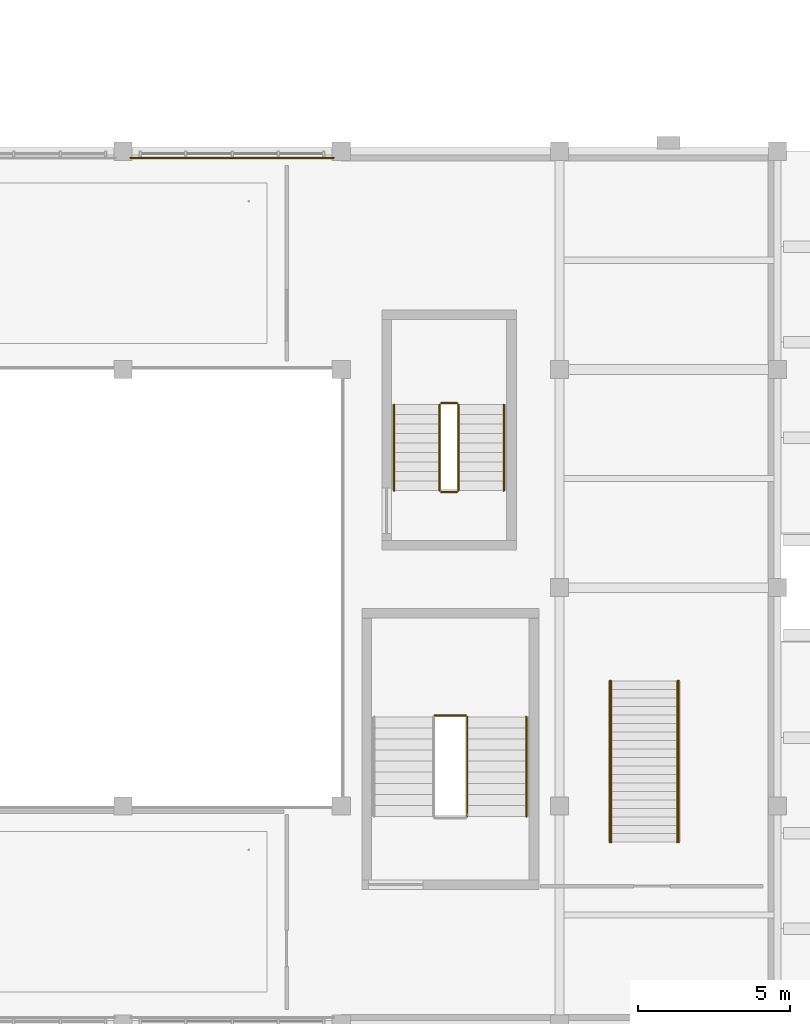
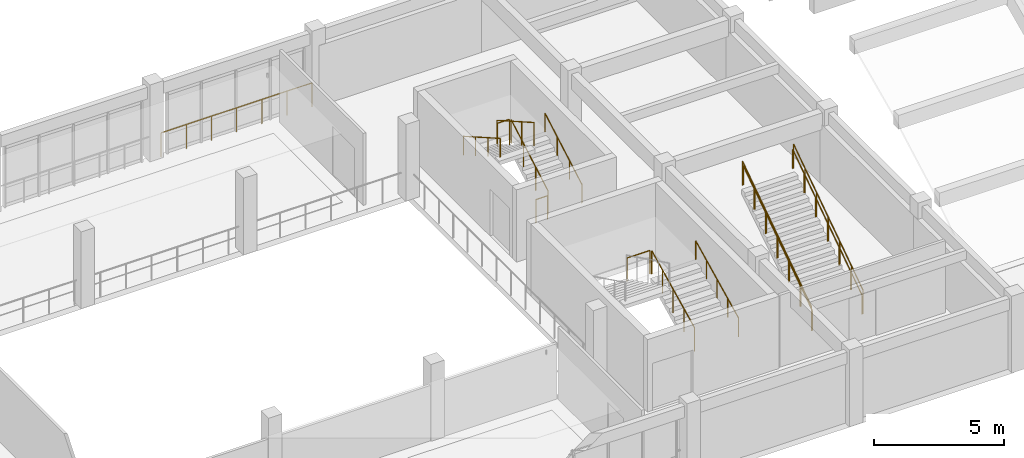
# One storey, part 73 of 85: 14 railings.
"""IFC4 building model written with IfcOpenShell, lengths in metres."""

from ifc_helpers import new_model, si_unit, direction, frame, origin, origin_2d, place, context, subcontext, project, spatial, circle, extrude, material, type_object, element, save


model = new_model("IFC4")

# Units and contexts
model_context = context("Model", 3, precision=1e-05, world=origin(), true_north=direction((0.0, 1.0)))
body_context = subcontext(model_context, "Body", "Model", "MODEL_VIEW")
ifc_project = project(units=[si_unit("LENGTHUNIT", "METRE"), si_unit("AREAUNIT", "SQUARE_METRE"), si_unit("VOLUMEUNIT", "CUBIC_METRE"), si_unit("PLANEANGLEUNIT", "RADIAN"), si_unit("MASSUNIT", "GRAM", prefix="KILO")], contexts=[model_context])

# Site, building, storey
site_placement = place(None, origin())
site = spatial("IfcSite", under=ifc_project, at=site_placement, CompositionType="ELEMENT")
building_placement = place(site_placement, origin())
building = spatial("IfcBuilding", under=site, at=building_placement, Name="Alvorim Cloister Faculty of Sciences", CompositionType="ELEMENT")
storey_placement = place(building_placement, frame((0.0, 0.0, 8.550048828125)))
storey = spatial("IfcBuildingStorey", under=building, at=storey_placement, Name="L02", CompositionType="ELEMENT", Elevation=8.550048828125)

# Railings
ifc_material_1 = material(Name="Laminated Safety Glass and Bronze", Category="glass")
railing_type_1 = type_object("IfcRailingType", Name="RL-ATR-BAL-1150", PredefinedType="BALUSTRADE", material=ifc_material_1)
railing_1_placement = place(storey_placement, frame((93.85009765625, 28.580078125, 0.0)))
element("IfcRailing", 1, at=railing_1_placement, inside=storey, type_object=railing_type_1, Name="L02 Curtain Wall Sill Guard BL-93", PredefinedType="BALUSTRADE", context=body_context, shape_type="SweptSolid", body=[
    extrude(circle(Radius=0.02392578125, at=origin_2d()), frame((0.0, 0.0, 1.1259765625), z_axis=(1.0, 0.0, 0.0), x_axis=(0.0, 1.0, 0.0)), (0.0, 0.0, 1.0), 6.699951171875),
    extrude(circle(Radius=0.02099609375, at=origin_2d()), origin(), (0.0, 0.0, 1.0), 1.101806640625),
    extrude(circle(Radius=0.02099609375, at=origin_2d()), frame((1.11669921875, 0.0, 0.0)), (0.0, 0.0, 1.0), 1.101806640625),
    extrude(circle(Radius=0.02099609375, at=origin_2d()), frame((2.2333984375, 0.0, 0.0)), (0.0, 0.0, 1.0), 1.101806640625),
    extrude(circle(Radius=0.02099609375, at=origin_2d()), frame((3.35009765625, 0.0, 0.0)), (0.0, 0.0, 1.0), 1.101806640625),
    extrude(circle(Radius=0.02099609375, at=origin_2d()), frame((4.466552734375, 0.0, 0.0)), (0.0, 0.0, 1.0), 1.101806640625),
    extrude(circle(Radius=0.02099609375, at=origin_2d()), frame((5.583251953125, 0.0, 0.0)), (0.0, 0.0, 1.0), 1.101806640625),
    extrude(circle(Radius=0.02099609375, at=origin_2d()), frame((6.699951171875, 0.0, 0.0)), (0.0, 0.0, 1.0), 1.101806640625),
])
ifc_material_2 = material(Name="Brushed Bronze", Category="metal")
railing_type_2 = type_object("IfcRailingType", Name="RL-MON-HAND", PredefinedType="HANDRAIL", material=ifc_material_2)
for number, where, name in (
    (2, (111.89501953125, 6.0, 0.0), "MST-L02-ATR Handrail 1"),
    (3, (109.705078125, 6.0, 0.0), "MST-L02-ATR Handrail 2"),
):
    element("IfcRailing", number, at=place(storey_placement, frame(where)), inside=storey, type_object=railing_type_2, Name=name, PredefinedType="HANDRAIL", context=body_context, shape_type="SweptSolid", body=[
        extrude(circle(Radius=0.02392578125, at=origin_2d()), frame((0.0, 0.0, 0.89599609375), z_axis=(0.0, 0.828212332092, 0.560414429659), x_axis=(-1.0, 0.0, 0.0)), (0.0, 0.0, 1.0), 6.423583984375),
        extrude(circle(Radius=0.02099609375, at=origin_2d()), origin(), (0.0, 0.0, 1.0), 0.871826171875),
        extrude(circle(Radius=0.02099609375, at=origin_2d()), frame((0.0, 0.88671875, 0.60009765625)), (0.0, 0.0, 1.0), 0.871826171875),
        extrude(circle(Radius=0.02099609375, at=origin_2d()), frame((0.0, 1.7734375, 1.199951171875)), (0.0, 0.0, 1.0), 0.871826171875),
        extrude(circle(Radius=0.02099609375, at=origin_2d()), frame((0.0, 2.66015625, 1.7998046875)), (0.0, 0.0, 1.0), 0.871826171875),
        extrude(circle(Radius=0.02099609375, at=origin_2d()), frame((0.0, 3.546630859375, 2.39990234375)), (0.0, 0.0, 1.0), 0.871826171875),
        extrude(circle(Radius=0.02099609375, at=origin_2d()), frame((0.0, 4.433349609375, 3.0)), (0.0, 0.0, 1.0), 0.871826171875),
        extrude(circle(Radius=0.02099609375, at=origin_2d()), frame((0.0, 5.320068359375, 3.599853515625)), (0.0, 0.0, 1.0), 0.871826171875),
    ])
ifc_material_3 = material(Name="Galvanised Painted Steel", Category="steel")
railing_type_3 = type_object("IfcRailingType", Name="RL-STR-GUARD", PredefinedType="GUARDRAIL", material=ifc_material_3)
railing_2_placement = place(storey_placement, frame((104.669921875, 17.60009765625, 0.179931640625)))
element("IfcRailing", 4, at=railing_2_placement, inside=storey, type_object=railing_type_3, Name="L02 ST-06 stair guard 1", PredefinedType="GUARDRAIL", context=body_context, shape_type="SweptSolid", body=[
    extrude(circle(Radius=0.02392578125, at=origin_2d()), frame((0.0, 0.0, 1.09619140625), z_axis=(0.0, 0.868224736699, 0.496171146464), x_axis=(-1.0, 0.0, 0.0)), (0.0, 0.0, 1.0), 3.26513671875),
    extrude(circle(Radius=0.02099609375, at=origin_2d()), origin(), (0.0, 0.0, 1.0), 1.072021484375),
    extrude(circle(Radius=0.02099609375, at=origin_2d()), frame((0.0, 0.945068359375, 0.5400390625)), (0.0, 0.0, 1.0), 1.072021484375),
    extrude(circle(Radius=0.02099609375, at=origin_2d()), frame((0.0, 1.889892578125, 1.080078125)), (0.0, 0.0, 1.0), 1.072021484375),
    extrude(circle(Radius=0.02099609375, at=origin_2d()), frame((0.0, 2.8349609375, 1.6201171875)), (0.0, 0.0, 1.0), 1.072021484375),
])
railing_3_placement = place(storey_placement, frame((104.6201171875, 20.485107421875, 1.800048828125)))
element("IfcRailing", 5, at=railing_3_placement, inside=storey, type_object=railing_type_3, Name="L02 ST-06 stair guard 2", PredefinedType="GUARDRAIL", context=body_context, shape_type="SweptSolid", body=[
    extrude(circle(Radius=0.02392578125, at=origin_2d()), frame((0.0, 0.0, 1.09619140625), z_axis=(-1.0, 0.0, 0.0), x_axis=(0.0, -1.0, 0.0)), (0.0, 0.0, 1.0), 0.52001953125),
    extrude(circle(Radius=0.02099609375, at=origin_2d()), origin(), (0.0, 0.0, 1.0), 1.072021484375),
    extrude(circle(Radius=0.02099609375, at=origin_2d()), frame((-0.52001953125, 0.0, 0.0)), (0.0, 0.0, 1.0), 1.072021484375),
])
railing_4_placement = place(storey_placement, frame((104.050048828125, 20.43505859375, 1.97998046875)))
element("IfcRailing", 6, at=railing_4_placement, inside=storey, type_object=railing_type_3, Name="L02 ST-06 stair guard 3", PredefinedType="GUARDRAIL", context=body_context, shape_type="SweptSolid", body=[
    extrude(circle(Radius=0.02392578125, at=origin_2d()), frame((0.0, 0.0, 1.09619140625), z_axis=(0.0, -0.868256945921, 0.496114780932), x_axis=(1.0, 0.0, 0.0)), (0.0, 0.0, 1.0), 3.26513671875),
    extrude(circle(Radius=0.02099609375, at=origin_2d()), origin(), (0.0, 0.0, 1.0), 1.072021484375),
    extrude(circle(Radius=0.02099609375, at=origin_2d()), frame((0.0, -0.945068359375, 0.5400390625)), (0.0, 0.0, 1.0), 1.072021484375),
    extrude(circle(Radius=0.02099609375, at=origin_2d()), frame((0.0, -1.889892578125, 1.079833984375)), (0.0, 0.0, 1.0), 1.072021484375),
    extrude(circle(Radius=0.02099609375, at=origin_2d()), frame((0.0, -2.8349609375, 1.619873046875)), (0.0, 0.0, 1.0), 1.072021484375),
])
railing_5_placement = place(storey_placement, frame((104.6201171875, 17.550048828125, 0.0)))
element("IfcRailing", 7, at=railing_5_placement, inside=storey, type_object=railing_type_3, Name="L02 ST-06 stair guard 4", PredefinedType="GUARDRAIL", context=body_context, shape_type="SweptSolid", body=[
    extrude(circle(Radius=0.02392578125, at=origin_2d()), frame((0.0, 0.0, 1.09619140625), z_axis=(-1.0, 0.0, 0.0), x_axis=(0.0, -1.0, 0.0)), (0.0, 0.0, 1.0), 0.52001953125),
    extrude(circle(Radius=0.02099609375, at=origin_2d()), origin(), (0.0, 0.0, 1.0), 1.072021484375),
    extrude(circle(Radius=0.02099609375, at=origin_2d()), frame((-0.52001953125, 0.0, 0.0)), (0.0, 0.0, 1.0), 1.072021484375),
])
railing_6_placement = place(storey_placement, frame((104.9599609375, 6.85009765625, 0.179931640625)))
element("IfcRailing", 8, at=railing_6_placement, inside=storey, type_object=railing_type_3, Name="L02 ST-12 stair guard 1", PredefinedType="GUARDRAIL", context=body_context, shape_type="SweptSolid", body=[
    extrude(circle(Radius=0.02392578125, at=origin_2d()), frame((0.0, 0.0, 1.09619140625), z_axis=(0.0, 0.896853484046, 0.442327738397), x_axis=(-1.0, 0.0, 0.0)), (0.0, 0.0, 1.0), 3.66259765625),
    extrude(circle(Radius=0.02099609375, at=origin_2d()), origin(), (0.0, 0.0, 1.0), 1.072021484375),
    extrude(circle(Radius=0.02099609375, at=origin_2d()), frame((0.0, 0.8212890625, 0.405029296875)), (0.0, 0.0, 1.0), 1.072021484375),
    extrude(circle(Radius=0.02099609375, at=origin_2d()), frame((0.0, 1.642578125, 0.81005859375)), (0.0, 0.0, 1.0), 1.072021484375),
    extrude(circle(Radius=0.02099609375, at=origin_2d()), frame((0.0, 2.463623046875, 1.215087890625)), (0.0, 0.0, 1.0), 1.072021484375),
    extrude(circle(Radius=0.02099609375, at=origin_2d()), frame((0.0, 3.284912109375, 1.6201171875)), (0.0, 0.0, 1.0), 1.072021484375),
])
railing_7_placement = place(storey_placement, frame((104.909912109375, 10.18505859375, 1.800048828125)))
element("IfcRailing", 9, at=railing_7_placement, inside=storey, type_object=railing_type_3, Name="L02 ST-12 stair guard 2", PredefinedType="GUARDRAIL", context=body_context, shape_type="SweptSolid", body=[
    extrude(circle(Radius=0.02392578125, at=origin_2d()), frame((0.0, 0.0, 1.09619140625), z_axis=(-1.0, 0.0, 0.0), x_axis=(0.0, -1.0, 0.0)), (0.0, 0.0, 1.0), 1.02001953125),
    extrude(circle(Radius=0.02099609375, at=origin_2d()), origin(), (0.0, 0.0, 1.0), 1.072021484375),
    extrude(circle(Radius=0.02099609375, at=origin_2d()), frame((-1.02001953125, 0.0, 0.0)), (0.0, 0.0, 1.0), 1.072021484375),
])
ifc_material_4 = material(Name="Brushed Stainless Steel", Category="steel")
railing_type_4 = type_object("IfcRailingType", Name="RL-STR-HAND", PredefinedType="HANDRAIL", material=ifc_material_4)
railing_8_placement = place(storey_placement, frame((106.169921875, 17.60009765625, 0.179931640625)))
element("IfcRailing", 10, at=railing_8_placement, inside=storey, type_object=railing_type_4, Name="L02 ST-06 stair handrail 1", PredefinedType="HANDRAIL", context=body_context, shape_type="SweptSolid", body=[
    extrude(circle(Radius=0.02392578125, at=origin_2d()), frame((0.0, 0.0, 0.8759765625), z_axis=(0.0, 0.868224736699, 0.496171146464), x_axis=(-1.0, 0.0, 0.0)), (0.0, 0.0, 1.0), 3.26513671875),
    extrude(circle(Radius=0.02099609375, at=origin_2d()), origin(), (0.0, 0.0, 1.0), 0.851806640625),
    extrude(circle(Radius=0.02099609375, at=origin_2d()), frame((0.0, 0.945068359375, 0.5400390625)), (0.0, 0.0, 1.0), 0.851806640625),
    extrude(circle(Radius=0.02099609375, at=origin_2d()), frame((0.0, 1.889892578125, 1.080078125)), (0.0, 0.0, 1.0), 0.851806640625),
    extrude(circle(Radius=0.02099609375, at=origin_2d()), frame((0.0, 2.8349609375, 1.6201171875)), (0.0, 0.0, 1.0), 0.851806640625),
])
railing_9_placement = place(storey_placement, frame((102.550048828125, 20.43505859375, 1.97998046875)))
element("IfcRailing", 11, at=railing_9_placement, inside=storey, type_object=railing_type_4, Name="L02 ST-06 stair handrail 2", PredefinedType="HANDRAIL", context=body_context, shape_type="SweptSolid", body=[
    extrude(circle(Radius=0.02392578125, at=origin_2d()), frame((0.0, 0.0, 0.8759765625), z_axis=(0.0, -0.868256945921, 0.496114780932), x_axis=(1.0, 0.0, 0.0)), (0.0, 0.0, 1.0), 3.26513671875),
    extrude(circle(Radius=0.02099609375, at=origin_2d()), origin(), (0.0, 0.0, 1.0), 0.851806640625),
    extrude(circle(Radius=0.02099609375, at=origin_2d()), frame((0.0, -0.945068359375, 0.5400390625)), (0.0, 0.0, 1.0), 0.851806640625),
    extrude(circle(Radius=0.02099609375, at=origin_2d()), frame((0.0, -1.889892578125, 1.079833984375)), (0.0, 0.0, 1.0), 0.851806640625),
    extrude(circle(Radius=0.02099609375, at=origin_2d()), frame((0.0, -2.8349609375, 1.619873046875)), (0.0, 0.0, 1.0), 0.851806640625),
])
railing_10_placement = place(storey_placement, frame((106.909912109375, 6.85009765625, 0.179931640625)))
element("IfcRailing", 12, at=railing_10_placement, inside=storey, type_object=railing_type_4, Name="L02 ST-12 stair handrail 1", PredefinedType="HANDRAIL", context=body_context, shape_type="SweptSolid", body=[
    extrude(circle(Radius=0.02392578125, at=origin_2d()), frame((0.0, 0.0, 0.8759765625), z_axis=(0.0, 0.896853484046, 0.442327738397), x_axis=(-1.0, 0.0, 0.0)), (0.0, 0.0, 1.0), 3.66259765625),
    extrude(circle(Radius=0.02099609375, at=origin_2d()), origin(), (0.0, 0.0, 1.0), 0.851806640625),
    extrude(circle(Radius=0.02099609375, at=origin_2d()), frame((0.0, 0.8212890625, 0.405029296875)), (0.0, 0.0, 1.0), 0.851806640625),
    extrude(circle(Radius=0.02099609375, at=origin_2d()), frame((0.0, 1.642578125, 0.81005859375)), (0.0, 0.0, 1.0), 0.851806640625),
    extrude(circle(Radius=0.02099609375, at=origin_2d()), frame((0.0, 2.463623046875, 1.215087890625)), (0.0, 0.0, 1.0), 0.851806640625),
    extrude(circle(Radius=0.02099609375, at=origin_2d()), frame((0.0, 3.284912109375, 1.6201171875)), (0.0, 0.0, 1.0), 0.851806640625),
])
railing_type_5 = type_object("IfcRailingType", Name="RL-TER-GUARD-1150", PredefinedType="GUARDRAIL", material=ifc_material_3)
for number, where, name in (
    (13, (111.93505859375, 6.0, 0.0), "MST-L02-ATR Flight Guard 1"),
    (14, (109.6650390625, 6.0, 0.0), "MST-L02-ATR Flight Guard 2"),
):
    element("IfcRailing", number, at=place(storey_placement, frame(where)), inside=storey, type_object=railing_type_5, Name=name, PredefinedType="GUARDRAIL", context=body_context, shape_type="SweptSolid", body=[
        extrude(circle(Radius=0.02392578125, at=origin_2d()), frame((0.0, 0.0, 1.1259765625), z_axis=(0.0, 0.828212332092, 0.560414429659), x_axis=(-1.0, 0.0, 0.0)), (0.0, 0.0, 1.0), 6.423583984375),
        extrude(circle(Radius=0.02099609375, at=origin_2d()), origin(), (0.0, 0.0, 1.0), 1.101806640625),
        extrude(circle(Radius=0.02099609375, at=origin_2d()), frame((0.0, 0.88671875, 0.60009765625)), (0.0, 0.0, 1.0), 1.101806640625),
        extrude(circle(Radius=0.02099609375, at=origin_2d()), frame((0.0, 1.7734375, 1.199951171875)), (0.0, 0.0, 1.0), 1.101806640625),
        extrude(circle(Radius=0.02099609375, at=origin_2d()), frame((0.0, 2.66015625, 1.7998046875)), (0.0, 0.0, 1.0), 1.101806640625),
        extrude(circle(Radius=0.02099609375, at=origin_2d()), frame((0.0, 3.546630859375, 2.39990234375)), (0.0, 0.0, 1.0), 1.101806640625),
        extrude(circle(Radius=0.02099609375, at=origin_2d()), frame((0.0, 4.433349609375, 3.0)), (0.0, 0.0, 1.0), 1.101806640625),
        extrude(circle(Radius=0.02099609375, at=origin_2d()), frame((0.0, 5.320068359375, 3.599853515625)), (0.0, 0.0, 1.0), 1.101806640625),
    ])

save(model, "model.ifc")
